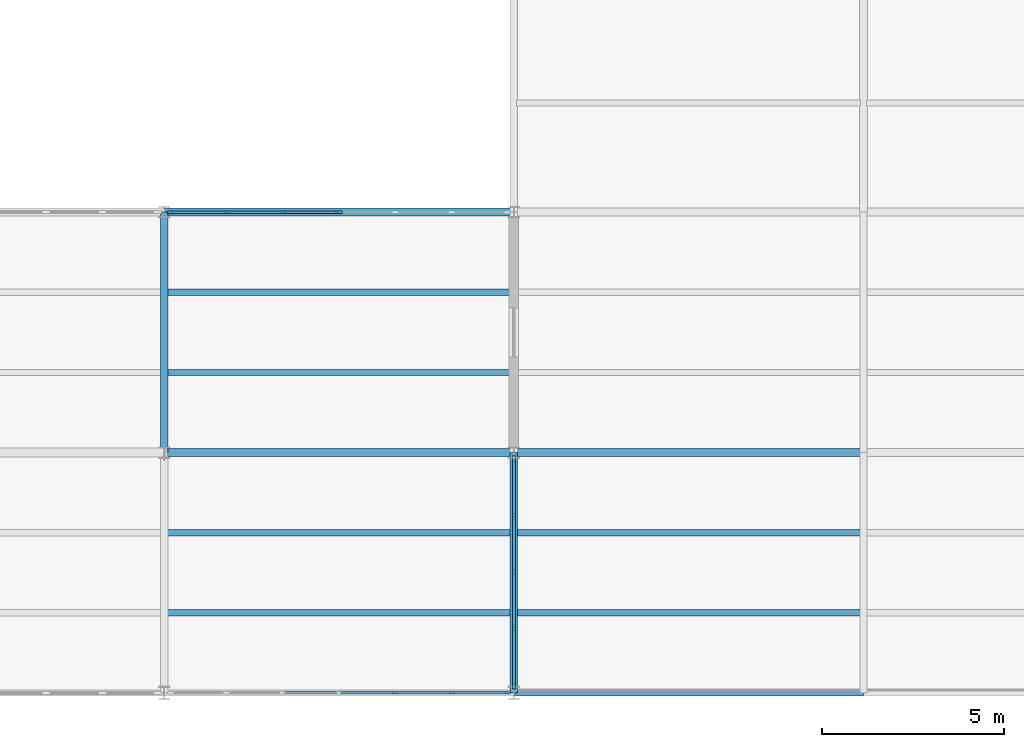
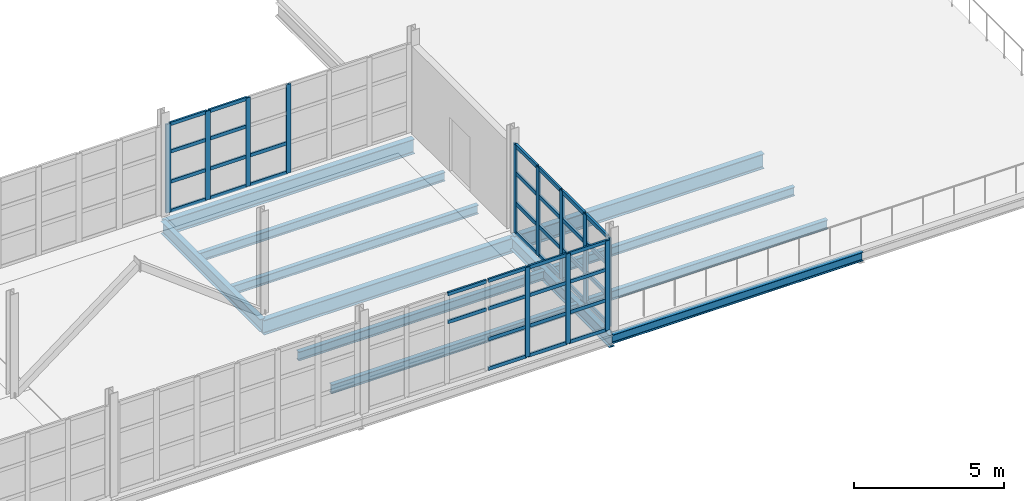
# One storey, part 44 of 82: 52 members, 12 beams, 3 elements without a shape of their own.
"""IFC4 building model written with IfcOpenShell, lengths in metres."""

import ifcopenshell
import ifcopenshell.guid

model = None  # the IFC model being written
_history = None  # IfcOwnerHistory: only IFC2X3 demands one
_inside = {}  # id of a spatial element -> (the spatial element, [elements in it])
_under = {}  # id of a project, library or spatial element -> (it, [spatial elements below it])
_declared = {}  # id of a project -> (the project, [libraries it declares])
_typed = {}  # id of a type object -> (the type object, [elements of that type])
_made_of = {}  # id of a material, layer set ... -> (it, [elements and type objects made of it])


def new_model(schema):
    """Start an empty IFC model of exactly this schema.

    Asked for "IFC4X3", IfcOpenShell would pick the latest addendum, in which some entities
    have other attributes; the version numbers below select the first issue.
    IFC2X3 requires an IfcOwnerHistory on every rooted entity: one is made here for all.
    """
    global model, _history
    if schema == "IFC4X3":
        model = ifcopenshell.file(schema_version=(4, 3, 0, 0))
    else:
        model = ifcopenshell.file(schema=schema)
    _inside.clear()
    _under.clear()
    _declared.clear()
    _typed.clear()
    _made_of.clear()
    _history = None
    if model.schema == "IFC2X3":
        org = make("IfcOrganization", Name="unknown")
        user = make(
            "IfcPersonAndOrganization",
            ThePerson=make("IfcPerson", FamilyName="unknown"),
            TheOrganization=org,
        )
        app = make(
            "IfcApplication",
            ApplicationDeveloper=org,
            Version="unknown",
            ApplicationFullName="unknown",
            ApplicationIdentifier="unknown",
        )
        _history = make(
            "IfcOwnerHistory",
            OwningUser=user,
            OwningApplication=app,
            ChangeAction="ADDED",
            CreationDate=0,
        )
    return model


def make(cls, **values):
    """One entity of the class cls with the attributes given. An attribute that is None is left unset."""
    return model.create_entity(
        cls, **{name: value for name, value in values.items() if value is not None}
    )


def rooted(cls, **values):
    """An entity with a GlobalId (a new one), such as an element, a storey or a relation."""
    return make(cls, GlobalId=ifcopenshell.guid.new(), OwnerHistory=_history, **values)


def si_unit(unit_type, name, prefix=None):
    """IfcSIUnit, for example si_unit("LENGTHUNIT", "METRE", prefix="MILLI")."""
    return make("IfcSIUnit", UnitType=unit_type, Prefix=prefix, Name=name)


def assignment(units):
    """IfcUnitAssignment: the units of a project."""
    return None if units is None else make("IfcUnitAssignment", Units=units)


def point(xyz):
    """IfcCartesianPoint."""
    return None if xyz is None else make("IfcCartesianPoint", Coordinates=xyz)


def direction(xyz):
    """IfcDirection."""
    return None if xyz is None else make("IfcDirection", DirectionRatios=xyz)


def frame(location, z_axis=None, x_axis=None):
    """IfcAxis2Placement3D, a coordinate frame: its origin and axes. An axis left out is left unset."""
    return make(
        "IfcAxis2Placement3D",
        Location=point(location),
        Axis=direction(z_axis),
        RefDirection=direction(x_axis),
    )


def frame_2d(location, x_axis=None):
    """IfcAxis2Placement2D, a coordinate frame in the plane: its origin and x axis."""
    return make(
        "IfcAxis2Placement2D", Location=point(location), RefDirection=direction(x_axis)
    )


def origin():
    """The frame at (0, 0, 0) with its axes left unset."""
    return frame((0.0, 0.0, 0.0))


def origin_2d():
    """The frame at (0, 0) in the plane with its x axis left unset."""
    return frame_2d((0.0, 0.0))


def place(relative_to, where):
    """IfcLocalPlacement: puts the frame where relative to a parent placement (None: the world)."""
    return make(
        "IfcLocalPlacement", PlacementRelTo=relative_to, RelativePlacement=where
    )


def context(
    kind, dimensions, precision=None, world=None, true_north=None, identifier=None
):
    """IfcGeometricRepresentationContext, for example the 3D "Model" context."""
    return make(
        "IfcGeometricRepresentationContext",
        ContextIdentifier=identifier,
        ContextType=kind,
        CoordinateSpaceDimension=dimensions,
        Precision=precision,
        WorldCoordinateSystem=world,
        TrueNorth=true_north,
    )


def subcontext(parent, identifier, kind, view, scale=None):
    """IfcGeometricRepresentationSubContext, for example "Body" below "Model"."""
    return make(
        "IfcGeometricRepresentationSubContext",
        ContextIdentifier=identifier,
        ContextType=kind,
        ParentContext=parent,
        TargetScale=scale,
        TargetView=view,
    )


def project(units=None, contexts=None):
    """IfcProject with its units and contexts."""
    return rooted(
        "IfcProject",
        Name="project",
        RepresentationContexts=contexts,
        UnitsInContext=assignment(units),
    )


def spatial(cls, under=None, at=None, **own):
    """A site, building, storey or space (cls), placed at a placement, below another one or the project."""
    s = rooted(cls, ObjectPlacement=at, **own)
    if under is not None:
        _under.setdefault(under.id(), (under, []))[1].append(s)
    return s


def profile(cls, at=None, kind="AREA", **sizes):
    """A parametric profile (cls). Its sizes go by their IFC names, for example OverallWidth=200.0."""
    return make(cls, ProfileType=kind, Position=at, **sizes)


def rectangle(**sizes):
    """IfcRectangleProfileDef."""
    return profile("IfcRectangleProfileDef", **sizes)


def i_section(**sizes):
    """IfcIShapeProfileDef."""
    return profile("IfcIShapeProfileDef", **sizes)


def extrude(swept, where, along, depth):
    """IfcExtrudedAreaSolid: the profile swept, set in the frame where, extruded along a direction by depth."""
    return make(
        "IfcExtrudedAreaSolid",
        SweptArea=swept,
        Position=where,
        ExtrudedDirection=direction(along),
        Depth=depth,
    )


def shape(context_of_items, identifier, shape_type, items):
    """IfcShapeRepresentation: the items that make up one representation, for example the "Body"."""
    return make(
        "IfcShapeRepresentation",
        ContextOfItems=context_of_items,
        RepresentationIdentifier=identifier,
        RepresentationType=shape_type,
        Items=items,
    )


def material(Name=None, Category=None):
    """IfcMaterial."""
    return make("IfcMaterial", Name=Name, Category=Category)


def layer(
    of_material, thickness, ventilated=None, Name=None, Category=None, Priority=None
):
    """IfcMaterialLayer: one layer of a wall or slab, of a material (None: an air gap)."""
    return make(
        "IfcMaterialLayer",
        Material=of_material,
        LayerThickness=thickness,
        IsVentilated=ventilated,
        Name=Name,
        Category=Category,
        Priority=Priority,
    )


def layer_set(layers, Name=None):
    """IfcMaterialLayerSet."""
    return make("IfcMaterialLayerSet", MaterialLayers=layers, LayerSetName=Name)


def material_profile(
    of_material, cross_section, Name=None, Category=None, Priority=None
):
    """IfcMaterialProfile: a cross section and its material."""
    return make(
        "IfcMaterialProfile",
        Name=Name,
        Material=of_material,
        Profile=cross_section,
        Priority=Priority,
        Category=Category,
    )


def profile_set(profiles, Name=None, composite=None):
    """IfcMaterialProfileSet."""
    return make(
        "IfcMaterialProfileSet",
        Name=Name,
        MaterialProfiles=profiles,
        CompositeProfile=composite,
    )


def made_of(thing, what):
    """Note that an element or type object is made of a material, layer set ...; save() writes the relation."""
    if what is not None:
        _made_of.setdefault(what.id(), (what, []))[1].append(thing)
    return thing


def type_object(cls, material=None, **own):
    """A type object (cls), such as IfcWallType, which elements share."""
    return made_of(rooted(cls, **own), material)


def element(
    cls,
    number,
    at=None,
    inside=None,
    cuts=None,
    type_object=None,
    material=None,
    context=None,
    identifier="Body",
    shape_type=None,
    held_by="IfcProductDefinitionShape",
    body=None,
    shapes=None,
    **own,
):
    """One element of the class cls, such as IfcWall. Its Tag is "e" and its number.

    at: its placement. inside: the storey or other place that contains it. cuts: it is an
    opening in that element (IfcRelVoidsElement). A single representation is given by context,
    identifier, shape_type and body (its items); several are given by shapes. held_by: the class
    of the entity that holds the representations. save() writes the other relations.
    """
    e = rooted(cls, Tag="e%d" % number, ObjectPlacement=at, **own)
    if body is not None:
        shapes = [shape(context, identifier, shape_type, body)]
    if shapes is not None:
        e.Representation = make(held_by, Representations=shapes)
    if inside is not None:
        _inside.setdefault(inside.id(), (inside, []))[1].append(e)
    if cuts is not None:
        rooted(
            "IfcRelVoidsElement", RelatingBuildingElement=cuts, RelatedOpeningElement=e
        )
    if type_object is not None:
        _typed.setdefault(type_object.id(), (type_object, []))[1].append(e)
    return made_of(e, material)


def aggregate(whole, parts):
    """IfcRelAggregates: a whole, such as a stair, and the parts it consists of."""
    return rooted("IfcRelAggregates", RelatingObject=whole, RelatedObjects=parts)


def save(model, path):
    """Write the relations noted so far, then the file.

    IfcRelAggregates (storeys below a building ...), IfcRelContainedInSpatialStructure (elements
    in a storey), IfcRelDefinesByType, IfcRelAssociatesMaterial and IfcRelDeclares: one each for
    every whole, place, type object, material and project.
    """
    for whole, parts in _under.values():
        aggregate(whole, parts)
    for where, things in _inside.values():
        rooted(
            "IfcRelContainedInSpatialStructure",
            RelatedElements=things,
            RelatingStructure=where,
        )
    for kind, things in _typed.values():
        rooted("IfcRelDefinesByType", RelatedObjects=things, RelatingType=kind)
    for what, things in _made_of.values():
        rooted("IfcRelAssociatesMaterial", RelatedObjects=things, RelatingMaterial=what)
    for by, libraries in _declared.values():
        rooted("IfcRelDeclares", RelatingContext=by, RelatedDefinitions=libraries)
    model.write(path)


model = new_model("IFC4")

# Units and contexts
model_context = context("Model", 3, precision=1e-05, world=origin(), true_north=direction((0.0, 1.0)))
body_context = subcontext(model_context, "Body", "Model", "MODEL_VIEW")
ifc_project = project(units=[si_unit("LENGTHUNIT", "METRE"), si_unit("AREAUNIT", "SQUARE_METRE"), si_unit("VOLUMEUNIT", "CUBIC_METRE"), si_unit("PLANEANGLEUNIT", "RADIAN"), si_unit("MASSUNIT", "GRAM", prefix="KILO")], contexts=[model_context])

# Site, building, storey
site_placement = place(None, origin())
site = spatial("IfcSite", under=ifc_project, at=site_placement, CompositionType="ELEMENT")
building_placement = place(site_placement, origin())
building = spatial("IfcBuilding", under=site, at=building_placement, Name="Zarnetskaya Central Station", CompositionType="ELEMENT")
storey_placement = place(building_placement, frame((0.0, 0.0, 10.199951171875)))
storey = spatial("IfcBuildingStorey", under=building, at=storey_placement, Name="L02", CompositionType="ELEMENT", Elevation=10.199951171875)

# Beams
ifc_material_1 = material(Name="Steel S355", Category="steel")
ifc_material_profile_1 = material_profile(ifc_material_1, i_section(OverallWidth=0.169921875, OverallDepth=0.360107421875, WebThickness=0.008056640625, FlangeThickness=0.0126953125, FilletRadius=0.01806640625, at=origin_2d()), Name="IPE 360")
ifc_profile_set_1 = profile_set([ifc_material_profile_1], Name="Steel S355")
beam_type_1 = type_object("IfcBeamType", Name="BM-SEC-360", PredefinedType="BEAM", material=ifc_profile_set_1)
for number, where, z_axis, x_axis, name in (
    (1, (144.080078125, 2.199951171875, -0.43994140625), (1.0, 0.0, 0.0), (0.0, 1.0, 0.0), "Secondary floor beam SEC-L02-Z994-RS-12-1"),
    (2, (144.080078125, 4.39990234375, -0.43994140625), (1.0, 0.0, 0.0), (0.0, 1.0, 0.0), "Secondary floor beam SEC-L02-Z994-RS-12-2"),
    (3, (144.080078125, 8.800048828125, -0.43994140625), (1.0, 0.0, 0.0), (0.0, 1.0, 0.0), "Secondary floor beam SEC-L02-Z994-RS-23-1"),
    (4, (144.080078125, 11.0, -0.43994140625), (1.0, 0.0, 0.0), (0.0, 1.0, 0.0), "Secondary floor beam SEC-L02-Z994-RS-23-2"),
):
    element("IfcBeam", number, at=place(storey_placement, frame(where, z_axis=z_axis, x_axis=x_axis)), inside=storey, type_object=beam_type_1, Name=name, PredefinedType="BEAM", context=body_context, shape_type="SweptSolid", body=[
        extrude(i_section(OverallWidth=0.169921875, OverallDepth=0.360107421875, WebThickness=0.008056640625, FlangeThickness=0.0126953125, FilletRadius=0.01806640625, at=origin_2d()), origin(), (0.0, 0.0, 1.0), 9.43994140625),
    ])
for number, where, z_axis, x_axis, name in (
    (5, (153.679931640625, 2.199951171875, -0.39990234375), (1.0, 0.0, 0.0), (0.0, 1.0, 0.0), "Secondary floor beam SEC-L02-Z998-ST-12-1"),
    (6, (153.679931640625, 4.39990234375, -0.39990234375), (1.0, 0.0, 0.0), (0.0, 1.0, 0.0), "Secondary floor beam SEC-L02-Z998-ST-12-2"),
):
    element("IfcBeam", number, at=place(storey_placement, frame(where, z_axis=z_axis, x_axis=x_axis)), inside=storey, type_object=beam_type_1, Name=name, PredefinedType="BEAM", context=body_context, shape_type="SweptSolid", body=[
        extrude(i_section(OverallWidth=0.169921875, OverallDepth=0.360107421875, WebThickness=0.008056640625, FlangeThickness=0.0126953125, FilletRadius=0.01806640625, at=origin_2d()), origin(), (0.0, 0.0, 1.0), 9.440185546875),
    ])
ifc_material_profile_2 = material_profile(ifc_material_1, i_section(OverallWidth=0.169921875, OverallDepth=0.360107421875, WebThickness=0.008056640625, FlangeThickness=0.0126953125, FilletRadius=0.01806640625, at=origin_2d()), Name="IPE 360")
ifc_profile_set_2 = profile_set([ifc_material_profile_2], Name="Steel S355")
beam_type_2 = type_object("IfcBeamType", Name="BM-SPN-V4", PredefinedType="SPANDREL", material=ifc_profile_set_2)
beam_1_placement = place(storey_placement, frame((153.60009765625, 0.0, -0.39990234375), z_axis=(1.0, 0.0, 0.0), x_axis=(0.0, 1.0, 0.0)))
element("IfcBeam", 7, at=beam_1_placement, inside=storey, type_object=beam_type_2, Name="Grid girder GX-L02-1-ST", PredefinedType="SPANDREL", context=body_context, shape_type="SweptSolid", body=[
    extrude(i_section(OverallWidth=0.169921875, OverallDepth=0.360107421875, WebThickness=0.008056640625, FlangeThickness=0.0126953125, FilletRadius=0.01806640625, at=origin_2d()), origin(), (0.0, 0.0, 1.0), 9.599853515625),
])

# Curtain wall, members
ifc_material_2 = material(Name="Low-E insulated glass", Category="glass")
ifc_layer = layer(ifc_material_2, 0.1640625, Name="Low-E insulated glass", Category="glass")
ifc_layer_set = layer_set([ifc_layer], Name="Low-E insulated glass")
curtain_wall_type = type_object("IfcCurtainWallType", Name="CW-SYS-07", PredefinedType="USERDEFINED", material=ifc_layer_set)
curtain_wall_1_placement = place(storey_placement, origin())
curtain_wall_1 = element("IfcCurtainWall", 8, at=curtain_wall_1_placement, inside=storey, type_object=curtain_wall_type, Name="Curtain wall CW-L02-141", ObjectType="CURTAIN WALL", PredefinedType="USERDEFINED")
ifc_material_3 = material(Name="Anodised aluminium", Category="aluminium")
ifc_material_profile_3 = material_profile(ifc_material_3, rectangle(XDim=0.070068359375, YDim=0.179931640625, at=origin_2d()), Name="ALU MULL 70x180")
ifc_profile_set_3 = profile_set([ifc_material_profile_3], Name="Anodised aluminium")
member_type_1 = type_object("IfcMemberType", Name="CW-MULL-180", PredefinedType="MULLION", material=ifc_profile_set_3)
member_1_placement = place(storey_placement, frame((144.18505859375, 13.199951171875, 0.0), z_axis=(0.0, 0.0, 1.0), x_axis=(0.0, 1.0, 0.0)))
member_1 = element("IfcMember", 9, at=member_1_placement, type_object=member_type_1, Name="CW-06 mullion 1", PredefinedType="MULLION", context=body_context, shape_type="SweptSolid", body=[
    extrude(rectangle(XDim=0.070068359375, YDim=0.179931640625, at=origin_2d()), origin(), (0.0, 0.0, 1.0), 3.60009765625),
])
member_2_placement = place(storey_placement, frame((145.699951171875, 13.199951171875, 0.0), z_axis=(0.0, 0.0, 1.0), x_axis=(0.0, 1.0, 0.0)))
member_2 = element("IfcMember", 10, at=member_2_placement, type_object=member_type_1, Name="CW-06 mullion 2", PredefinedType="MULLION", context=body_context, shape_type="SweptSolid", body=[
    extrude(rectangle(XDim=0.070068359375, YDim=0.179931640625, at=origin_2d()), origin(), (0.0, 0.0, 1.0), 3.60009765625),
])
member_3_placement = place(storey_placement, frame((147.25, 13.199951171875, 0.0), z_axis=(0.0, 0.0, 1.0), x_axis=(0.0, 1.0, 0.0)))
member_3 = element("IfcMember", 11, at=member_3_placement, type_object=member_type_1, Name="CW-06 mullion 3", PredefinedType="MULLION", context=body_context, shape_type="SweptSolid", body=[
    extrude(rectangle(XDim=0.070068359375, YDim=0.179931640625, at=origin_2d()), origin(), (0.0, 0.0, 1.0), 3.60009765625),
])
member_4_placement = place(storey_placement, frame((148.800048828125, 13.199951171875, 0.0), z_axis=(0.0, 0.0, 1.0), x_axis=(0.0, 1.0, 0.0)))
member_4 = element("IfcMember", 12, at=member_4_placement, type_object=member_type_1, Name="CW-06 mullion 4", PredefinedType="MULLION", context=body_context, shape_type="SweptSolid", body=[
    extrude(rectangle(XDim=0.070068359375, YDim=0.179931640625, at=origin_2d()), origin(), (0.0, 0.0, 1.0), 3.60009765625),
])

curtain_wall_2_placement = place(storey_placement, origin())
curtain_wall_2 = element("IfcCurtainWall", 13, at=curtain_wall_2_placement, inside=storey, type_object=curtain_wall_type, Name="Curtain wall CW-L02-143", ObjectType="CURTAIN WALL", PredefinedType="USERDEFINED")
member_5_placement = place(storey_placement, frame((153.4150390625, 0.0, 0.0), z_axis=(0.0, 0.0, 1.0), x_axis=(0.0, -1.0, 0.0)))
member_5 = element("IfcMember", 14, at=member_5_placement, type_object=member_type_1, Name="CW-06 mullion 1", PredefinedType="MULLION", context=body_context, shape_type="SweptSolid", body=[
    extrude(rectangle(XDim=0.070068359375, YDim=0.179931640625, at=origin_2d()), origin(), (0.0, 0.0, 1.0), 3.64013671875),
])
member_6_placement = place(storey_placement, frame((151.89990234375, 0.0, 0.0), z_axis=(0.0, 0.0, 1.0), x_axis=(0.0, -1.0, 0.0)))
member_6 = element("IfcMember", 15, at=member_6_placement, type_object=member_type_1, Name="CW-06 mullion 2", PredefinedType="MULLION", context=body_context, shape_type="SweptSolid", body=[
    extrude(rectangle(XDim=0.070068359375, YDim=0.179931640625, at=origin_2d()), origin(), (0.0, 0.0, 1.0), 3.64013671875),
])
member_7_placement = place(storey_placement, frame((150.35009765625, 0.0, 0.0), z_axis=(0.0, 0.0, 1.0), x_axis=(0.0, -1.0, 0.0)))
member_7 = element("IfcMember", 16, at=member_7_placement, type_object=member_type_1, Name="CW-06 mullion 3", PredefinedType="MULLION", context=body_context, shape_type="SweptSolid", body=[
    extrude(rectangle(XDim=0.070068359375, YDim=0.179931640625, at=origin_2d()), origin(), (0.0, 0.0, 1.0), 3.64013671875),
])

curtain_wall_3_placement = place(storey_placement, origin())
curtain_wall_3 = element("IfcCurtainWall", 17, at=curtain_wall_3_placement, inside=storey, type_object=curtain_wall_type, Name="Curtain wall CW-L02-142", ObjectType="CURTAIN WALL", PredefinedType="USERDEFINED")
ifc_material_profile_4 = material_profile(ifc_material_3, rectangle(XDim=0.080078125, YDim=0.219970703125, at=origin_2d()), Name="ALU MULL 80x220")
ifc_profile_set_4 = profile_set([ifc_material_profile_4], Name="Anodised aluminium")
member_type_2 = type_object("IfcMemberType", Name="CW-MULL-220", PredefinedType="MULLION", material=ifc_profile_set_4)
member_8_placement = place(storey_placement, frame((153.60009765625, 6.409912109375, 0.0), z_axis=(0.0, 0.0, 1.0), x_axis=(1.0, 0.0, 0.0)))
member_8 = element("IfcMember", 18, at=member_8_placement, type_object=member_type_2, Name="CW-06 mullion 1", PredefinedType="MULLION", context=body_context, shape_type="SweptSolid", body=[
    extrude(rectangle(XDim=0.080078125, YDim=0.219970703125, at=origin_2d()), origin(), (0.0, 0.0, 1.0), 3.60009765625),
])
member_9_placement = place(storey_placement, frame((153.60009765625, 4.882568359375, 0.0), z_axis=(0.0, 0.0, 1.0), x_axis=(1.0, 0.0, 0.0)))
member_9 = element("IfcMember", 19, at=member_9_placement, type_object=member_type_2, Name="CW-06 mullion 2", PredefinedType="MULLION", context=body_context, shape_type="SweptSolid", body=[
    extrude(rectangle(XDim=0.080078125, YDim=0.219970703125, at=origin_2d()), origin(), (0.0, 0.0, 1.0), 3.60009765625),
])
member_10_placement = place(storey_placement, frame((153.60009765625, 3.31494140625, 0.0), z_axis=(0.0, 0.0, 1.0), x_axis=(1.0, 0.0, 0.0)))
member_10 = element("IfcMember", 20, at=member_10_placement, type_object=member_type_2, Name="CW-06 mullion 3", PredefinedType="MULLION", context=body_context, shape_type="SweptSolid", body=[
    extrude(rectangle(XDim=0.080078125, YDim=0.219970703125, at=origin_2d()), origin(), (0.0, 0.0, 1.0), 3.60009765625),
])
member_11_placement = place(storey_placement, frame((153.60009765625, 1.74755859375, 0.0), z_axis=(0.0, 0.0, 1.0), x_axis=(1.0, 0.0, 0.0)))
member_11 = element("IfcMember", 21, at=member_11_placement, type_object=member_type_2, Name="CW-06 mullion 4", PredefinedType="MULLION", context=body_context, shape_type="SweptSolid", body=[
    extrude(rectangle(XDim=0.080078125, YDim=0.219970703125, at=origin_2d()), origin(), (0.0, 0.0, 1.0), 3.60009765625),
])
member_12_placement = place(storey_placement, frame((153.60009765625, 0.219970703125, 0.0), z_axis=(0.0, 0.0, 1.0), x_axis=(1.0, 0.0, 0.0)))
member_12 = element("IfcMember", 22, at=member_12_placement, type_object=member_type_2, Name="CW-06 mullion 5", PredefinedType="MULLION", context=body_context, shape_type="SweptSolid", body=[
    extrude(rectangle(XDim=0.080078125, YDim=0.219970703125, at=origin_2d()), origin(), (0.0, 0.0, 1.0), 3.60009765625),
])

# Member
ifc_material_profile_5 = material_profile(ifc_material_3, rectangle(XDim=0.070068359375, YDim=0.139892578125, at=origin_2d()), Name="ALU TRAN 70x140")
ifc_profile_set_5 = profile_set([ifc_material_profile_5], Name="Anodised aluminium")
member_type_3 = type_object("IfcMemberType", Name="CW-TRAN-140", PredefinedType="USERDEFINED", material=ifc_profile_set_5)
member_13_placement = place(storey_placement, frame((144.219970703125, 13.199951171875, 0.03515625), z_axis=(1.0, 0.0, 0.0), x_axis=(0.0, 1.0, 0.0)))
member_13 = element("IfcMember", 23, at=member_13_placement, type_object=member_type_3, Name="CW-06 transom 1.1", ObjectType="TRANSOM", PredefinedType="USERDEFINED", context=body_context, shape_type="SweptSolid", body=[
    extrude(rectangle(XDim=0.070068359375, YDim=0.139892578125, at=origin_2d()), origin(), (0.0, 0.0, 1.0), 1.445068359375),
])

member_14_placement = place(storey_placement, frame((144.219970703125, 13.199951171875, 1.22412109375), z_axis=(1.0, 0.0, 0.0), x_axis=(0.0, 1.0, 0.0)))
member_14 = element("IfcMember", 24, at=member_14_placement, type_object=member_type_3, Name="CW-06 transom 1.2", ObjectType="TRANSOM", PredefinedType="USERDEFINED", context=body_context, shape_type="SweptSolid", body=[
    extrude(rectangle(XDim=0.070068359375, YDim=0.139892578125, at=origin_2d()), origin(), (0.0, 0.0, 1.0), 1.445068359375),
])

member_15_placement = place(storey_placement, frame((144.219970703125, 13.199951171875, 2.447998046875), z_axis=(1.0, 0.0, 0.0), x_axis=(0.0, 1.0, 0.0)))
member_15 = element("IfcMember", 25, at=member_15_placement, type_object=member_type_3, Name="CW-06 transom 1.3", ObjectType="TRANSOM", PredefinedType="USERDEFINED", context=body_context, shape_type="SweptSolid", body=[
    extrude(rectangle(XDim=0.070068359375, YDim=0.139892578125, at=origin_2d()), origin(), (0.0, 0.0, 1.0), 1.445068359375),
])

member_16_placement = place(storey_placement, frame((144.219970703125, 13.199951171875, 3.56494140625), z_axis=(1.0, 0.0, 0.0), x_axis=(0.0, 1.0, 0.0)))
member_16 = element("IfcMember", 26, at=member_16_placement, type_object=member_type_3, Name="CW-06 transom 1.4", ObjectType="TRANSOM", PredefinedType="USERDEFINED", context=body_context, shape_type="SweptSolid", body=[
    extrude(rectangle(XDim=0.070068359375, YDim=0.139892578125, at=origin_2d()), origin(), (0.0, 0.0, 1.0), 1.445068359375),
])

member_17_placement = place(storey_placement, frame((145.735107421875, 13.199951171875, 0.03515625), z_axis=(1.0, 0.0, 0.0), x_axis=(0.0, 1.0, 0.0)))
member_17 = element("IfcMember", 27, at=member_17_placement, type_object=member_type_3, Name="CW-06 transom 2.1", ObjectType="TRANSOM", PredefinedType="USERDEFINED", context=body_context, shape_type="SweptSolid", body=[
    extrude(rectangle(XDim=0.070068359375, YDim=0.139892578125, at=origin_2d()), origin(), (0.0, 0.0, 1.0), 1.47998046875),
])

member_18_placement = place(storey_placement, frame((145.735107421875, 13.199951171875, 1.22412109375), z_axis=(1.0, 0.0, 0.0), x_axis=(0.0, 1.0, 0.0)))
member_18 = element("IfcMember", 28, at=member_18_placement, type_object=member_type_3, Name="CW-06 transom 2.2", ObjectType="TRANSOM", PredefinedType="USERDEFINED", context=body_context, shape_type="SweptSolid", body=[
    extrude(rectangle(XDim=0.070068359375, YDim=0.139892578125, at=origin_2d()), origin(), (0.0, 0.0, 1.0), 1.47998046875),
])

member_19_placement = place(storey_placement, frame((145.735107421875, 13.199951171875, 2.447998046875), z_axis=(1.0, 0.0, 0.0), x_axis=(0.0, 1.0, 0.0)))
member_19 = element("IfcMember", 29, at=member_19_placement, type_object=member_type_3, Name="CW-06 transom 2.3", ObjectType="TRANSOM", PredefinedType="USERDEFINED", context=body_context, shape_type="SweptSolid", body=[
    extrude(rectangle(XDim=0.070068359375, YDim=0.139892578125, at=origin_2d()), origin(), (0.0, 0.0, 1.0), 1.47998046875),
])

member_20_placement = place(storey_placement, frame((145.735107421875, 13.199951171875, 3.56494140625), z_axis=(1.0, 0.0, 0.0), x_axis=(0.0, 1.0, 0.0)))
member_20 = element("IfcMember", 30, at=member_20_placement, type_object=member_type_3, Name="CW-06 transom 2.4", ObjectType="TRANSOM", PredefinedType="USERDEFINED", context=body_context, shape_type="SweptSolid", body=[
    extrude(rectangle(XDim=0.070068359375, YDim=0.139892578125, at=origin_2d()), origin(), (0.0, 0.0, 1.0), 1.47998046875),
])

member_21_placement = place(storey_placement, frame((147.284912109375, 13.199951171875, 0.03515625), z_axis=(1.0, 0.0, 0.0), x_axis=(0.0, 1.0, 0.0)))
member_21 = element("IfcMember", 31, at=member_21_placement, type_object=member_type_3, Name="CW-06 transom 3.1", ObjectType="TRANSOM", PredefinedType="USERDEFINED", context=body_context, shape_type="SweptSolid", body=[
    extrude(rectangle(XDim=0.070068359375, YDim=0.139892578125, at=origin_2d()), origin(), (0.0, 0.0, 1.0), 1.47998046875),
])

member_22_placement = place(storey_placement, frame((147.284912109375, 13.199951171875, 1.22412109375), z_axis=(1.0, 0.0, 0.0), x_axis=(0.0, 1.0, 0.0)))
member_22 = element("IfcMember", 32, at=member_22_placement, type_object=member_type_3, Name="CW-06 transom 3.2", ObjectType="TRANSOM", PredefinedType="USERDEFINED", context=body_context, shape_type="SweptSolid", body=[
    extrude(rectangle(XDim=0.070068359375, YDim=0.139892578125, at=origin_2d()), origin(), (0.0, 0.0, 1.0), 1.47998046875),
])

aggregate(curtain_wall_1, [member_1, member_2, member_3, member_4, member_13, member_14, member_15, member_16, member_17, member_18, member_19, member_20, member_21, member_22])

member_23_placement = place(storey_placement, frame((153.3798828125, 0.0, 0.03515625), z_axis=(-1.0, 0.0, 0.0), x_axis=(0.0, -1.0, 0.0)))
member_23 = element("IfcMember", 33, at=member_23_placement, type_object=member_type_3, Name="CW-06 transom 1.1", ObjectType="TRANSOM", PredefinedType="USERDEFINED", context=body_context, shape_type="SweptSolid", body=[
    extrude(rectangle(XDim=0.070068359375, YDim=0.139892578125, at=origin_2d()), origin(), (0.0, 0.0, 1.0), 1.44482421875),
])

member_24_placement = place(storey_placement, frame((153.3798828125, 0.0, 1.238037109375), z_axis=(-1.0, 0.0, 0.0), x_axis=(0.0, -1.0, 0.0)))
member_24 = element("IfcMember", 34, at=member_24_placement, type_object=member_type_3, Name="CW-06 transom 1.2", ObjectType="TRANSOM", PredefinedType="USERDEFINED", context=body_context, shape_type="SweptSolid", body=[
    extrude(rectangle(XDim=0.070068359375, YDim=0.139892578125, at=origin_2d()), origin(), (0.0, 0.0, 1.0), 1.44482421875),
])

member_25_placement = place(storey_placement, frame((153.3798828125, 0.0, 2.47509765625), z_axis=(-1.0, 0.0, 0.0), x_axis=(0.0, -1.0, 0.0)))
member_25 = element("IfcMember", 35, at=member_25_placement, type_object=member_type_3, Name="CW-06 transom 1.3", ObjectType="TRANSOM", PredefinedType="USERDEFINED", context=body_context, shape_type="SweptSolid", body=[
    extrude(rectangle(XDim=0.070068359375, YDim=0.139892578125, at=origin_2d()), origin(), (0.0, 0.0, 1.0), 1.44482421875),
])

member_26_placement = place(storey_placement, frame((153.3798828125, 0.0, 3.60498046875), z_axis=(-1.0, 0.0, 0.0), x_axis=(0.0, -1.0, 0.0)))
member_26 = element("IfcMember", 36, at=member_26_placement, type_object=member_type_3, Name="CW-06 transom 1.4", ObjectType="TRANSOM", PredefinedType="USERDEFINED", context=body_context, shape_type="SweptSolid", body=[
    extrude(rectangle(XDim=0.070068359375, YDim=0.139892578125, at=origin_2d()), origin(), (0.0, 0.0, 1.0), 1.44482421875),
])

member_27_placement = place(storey_placement, frame((151.864990234375, 0.0, 0.03515625), z_axis=(-1.0, 0.0, 0.0), x_axis=(0.0, -1.0, 0.0)))
member_27 = element("IfcMember", 37, at=member_27_placement, type_object=member_type_3, Name="CW-06 transom 2.1", ObjectType="TRANSOM", PredefinedType="USERDEFINED", context=body_context, shape_type="SweptSolid", body=[
    extrude(rectangle(XDim=0.070068359375, YDim=0.139892578125, at=origin_2d()), origin(), (0.0, 0.0, 1.0), 1.47998046875),
])

member_28_placement = place(storey_placement, frame((151.864990234375, 0.0, 1.238037109375), z_axis=(-1.0, 0.0, 0.0), x_axis=(0.0, -1.0, 0.0)))
member_28 = element("IfcMember", 38, at=member_28_placement, type_object=member_type_3, Name="CW-06 transom 2.2", ObjectType="TRANSOM", PredefinedType="USERDEFINED", context=body_context, shape_type="SweptSolid", body=[
    extrude(rectangle(XDim=0.070068359375, YDim=0.139892578125, at=origin_2d()), origin(), (0.0, 0.0, 1.0), 1.47998046875),
])

member_29_placement = place(storey_placement, frame((151.864990234375, 0.0, 2.47509765625), z_axis=(-1.0, 0.0, 0.0), x_axis=(0.0, -1.0, 0.0)))
member_29 = element("IfcMember", 39, at=member_29_placement, type_object=member_type_3, Name="CW-06 transom 2.3", ObjectType="TRANSOM", PredefinedType="USERDEFINED", context=body_context, shape_type="SweptSolid", body=[
    extrude(rectangle(XDim=0.070068359375, YDim=0.139892578125, at=origin_2d()), origin(), (0.0, 0.0, 1.0), 1.47998046875),
])

member_30_placement = place(storey_placement, frame((151.864990234375, 0.0, 3.60498046875), z_axis=(-1.0, 0.0, 0.0), x_axis=(0.0, -1.0, 0.0)))
member_30 = element("IfcMember", 40, at=member_30_placement, type_object=member_type_3, Name="CW-06 transom 2.4", ObjectType="TRANSOM", PredefinedType="USERDEFINED", context=body_context, shape_type="SweptSolid", body=[
    extrude(rectangle(XDim=0.070068359375, YDim=0.139892578125, at=origin_2d()), origin(), (0.0, 0.0, 1.0), 1.47998046875),
])

member_31_placement = place(storey_placement, frame((150.31494140625, 0.0, 0.03515625), z_axis=(-1.0, 0.0, 0.0), x_axis=(0.0, -1.0, 0.0)))
member_31 = element("IfcMember", 41, at=member_31_placement, type_object=member_type_3, Name="CW-06 transom 3.1", ObjectType="TRANSOM", PredefinedType="USERDEFINED", context=body_context, shape_type="SweptSolid", body=[
    extrude(rectangle(XDim=0.070068359375, YDim=0.139892578125, at=origin_2d()), origin(), (0.0, 0.0, 1.0), 1.47998046875),
])

member_32_placement = place(storey_placement, frame((150.31494140625, 0.0, 1.238037109375), z_axis=(-1.0, 0.0, 0.0), x_axis=(0.0, -1.0, 0.0)))
member_32 = element("IfcMember", 42, at=member_32_placement, type_object=member_type_3, Name="CW-06 transom 3.2", ObjectType="TRANSOM", PredefinedType="USERDEFINED", context=body_context, shape_type="SweptSolid", body=[
    extrude(rectangle(XDim=0.070068359375, YDim=0.139892578125, at=origin_2d()), origin(), (0.0, 0.0, 1.0), 1.47998046875),
])

member_33_placement = place(storey_placement, frame((150.31494140625, 0.0, 2.47509765625), z_axis=(-1.0, 0.0, 0.0), x_axis=(0.0, -1.0, 0.0)))
member_33 = element("IfcMember", 43, at=member_33_placement, type_object=member_type_3, Name="CW-06 transom 3.3", ObjectType="TRANSOM", PredefinedType="USERDEFINED", context=body_context, shape_type="SweptSolid", body=[
    extrude(rectangle(XDim=0.070068359375, YDim=0.139892578125, at=origin_2d()), origin(), (0.0, 0.0, 1.0), 1.47998046875),
])

member_34_placement = place(storey_placement, frame((150.31494140625, 0.0, 3.60498046875), z_axis=(-1.0, 0.0, 0.0), x_axis=(0.0, -1.0, 0.0)))
member_34 = element("IfcMember", 44, at=member_34_placement, type_object=member_type_3, Name="CW-06 transom 3.4", ObjectType="TRANSOM", PredefinedType="USERDEFINED", context=body_context, shape_type="SweptSolid", body=[
    extrude(rectangle(XDim=0.070068359375, YDim=0.139892578125, at=origin_2d()), origin(), (0.0, 0.0, 1.0), 1.47998046875),
])

member_35_placement = place(storey_placement, frame((148.764892578125, 0.0, 2.47509765625), z_axis=(-1.0, 0.0, 0.0), x_axis=(0.0, -1.0, 0.0)))
member_35 = element("IfcMember", 45, at=member_35_placement, type_object=member_type_3, Name="CW-06 transom 4.3", ObjectType="TRANSOM", PredefinedType="USERDEFINED", context=body_context, shape_type="SweptSolid", body=[
    extrude(rectangle(XDim=0.070068359375, YDim=0.139892578125, at=origin_2d()), origin(), (0.0, 0.0, 1.0), 1.47998046875),
])

member_36_placement = place(storey_placement, frame((148.764892578125, 0.0, 3.60498046875), z_axis=(-1.0, 0.0, 0.0), x_axis=(0.0, -1.0, 0.0)))
member_36 = element("IfcMember", 46, at=member_36_placement, type_object=member_type_3, Name="CW-06 transom 4.4", ObjectType="TRANSOM", PredefinedType="USERDEFINED", context=body_context, shape_type="SweptSolid", body=[
    extrude(rectangle(XDim=0.070068359375, YDim=0.139892578125, at=origin_2d()), origin(), (0.0, 0.0, 1.0), 1.47998046875),
])

aggregate(curtain_wall_2, [member_5, member_6, member_7, member_23, member_24, member_25, member_26, member_27, member_28, member_29, member_30, member_31, member_32, member_33, member_34, member_35, member_36])

ifc_material_profile_6 = material_profile(ifc_material_3, rectangle(XDim=0.080078125, YDim=0.159912109375, at=origin_2d()), Name="ALU TRAN 80x160")
ifc_profile_set_6 = profile_set([ifc_material_profile_6], Name="Anodised aluminium")
member_type_4 = type_object("IfcMemberType", Name="CW-TRAN-160", PredefinedType="USERDEFINED", material=ifc_profile_set_6)
member_37_placement = place(storey_placement, frame((153.60009765625, 6.3701171875, 0.0400390625), z_axis=(0.0, -1.0, 0.0), x_axis=(1.0, 0.0, 0.0)))
member_37 = element("IfcMember", 47, at=member_37_placement, type_object=member_type_4, Name="CW-06 transom 1.1", ObjectType="TRANSOM", PredefinedType="USERDEFINED", context=body_context, shape_type="SweptSolid", body=[
    extrude(rectangle(XDim=0.080078125, YDim=0.159912109375, at=origin_2d()), origin(), (0.0, 0.0, 1.0), 1.447509765625),
])

member_38_placement = place(storey_placement, frame((153.60009765625, 6.3701171875, 1.22412109375), z_axis=(0.0, -1.0, 0.0), x_axis=(1.0, 0.0, 0.0)))
member_38 = element("IfcMember", 48, at=member_38_placement, type_object=member_type_4, Name="CW-06 transom 1.2", ObjectType="TRANSOM", PredefinedType="USERDEFINED", context=body_context, shape_type="SweptSolid", body=[
    extrude(rectangle(XDim=0.080078125, YDim=0.159912109375, at=origin_2d()), origin(), (0.0, 0.0, 1.0), 1.447509765625),
])

member_39_placement = place(storey_placement, frame((153.60009765625, 6.3701171875, 2.447998046875), z_axis=(0.0, -1.0, 0.0), x_axis=(1.0, 0.0, 0.0)))
member_39 = element("IfcMember", 49, at=member_39_placement, type_object=member_type_4, Name="CW-06 transom 1.3", ObjectType="TRANSOM", PredefinedType="USERDEFINED", context=body_context, shape_type="SweptSolid", body=[
    extrude(rectangle(XDim=0.080078125, YDim=0.159912109375, at=origin_2d()), origin(), (0.0, 0.0, 1.0), 1.447509765625),
])

member_40_placement = place(storey_placement, frame((153.60009765625, 6.3701171875, 3.56005859375), z_axis=(0.0, -1.0, 0.0), x_axis=(1.0, 0.0, 0.0)))
member_40 = element("IfcMember", 50, at=member_40_placement, type_object=member_type_4, Name="CW-06 transom 1.4", ObjectType="TRANSOM", PredefinedType="USERDEFINED", context=body_context, shape_type="SweptSolid", body=[
    extrude(rectangle(XDim=0.080078125, YDim=0.159912109375, at=origin_2d()), origin(), (0.0, 0.0, 1.0), 1.447509765625),
])

member_41_placement = place(storey_placement, frame((153.60009765625, 4.842529296875, 0.0400390625), z_axis=(0.0, -1.0, 0.0), x_axis=(1.0, 0.0, 0.0)))
member_41 = element("IfcMember", 51, at=member_41_placement, type_object=member_type_4, Name="CW-06 transom 2.1", ObjectType="TRANSOM", PredefinedType="USERDEFINED", context=body_context, shape_type="SweptSolid", body=[
    extrude(rectangle(XDim=0.080078125, YDim=0.159912109375, at=origin_2d()), origin(), (0.0, 0.0, 1.0), 1.487548828125),
])

member_42_placement = place(storey_placement, frame((153.60009765625, 4.842529296875, 1.22412109375), z_axis=(0.0, -1.0, 0.0), x_axis=(1.0, 0.0, 0.0)))
member_42 = element("IfcMember", 52, at=member_42_placement, type_object=member_type_4, Name="CW-06 transom 2.2", ObjectType="TRANSOM", PredefinedType="USERDEFINED", context=body_context, shape_type="SweptSolid", body=[
    extrude(rectangle(XDim=0.080078125, YDim=0.159912109375, at=origin_2d()), origin(), (0.0, 0.0, 1.0), 1.487548828125),
])

member_43_placement = place(storey_placement, frame((153.60009765625, 4.842529296875, 2.447998046875), z_axis=(0.0, -1.0, 0.0), x_axis=(1.0, 0.0, 0.0)))
member_43 = element("IfcMember", 53, at=member_43_placement, type_object=member_type_4, Name="CW-06 transom 2.3", ObjectType="TRANSOM", PredefinedType="USERDEFINED", context=body_context, shape_type="SweptSolid", body=[
    extrude(rectangle(XDim=0.080078125, YDim=0.159912109375, at=origin_2d()), origin(), (0.0, 0.0, 1.0), 1.487548828125),
])

member_44_placement = place(storey_placement, frame((153.60009765625, 4.842529296875, 3.56005859375), z_axis=(0.0, -1.0, 0.0), x_axis=(1.0, 0.0, 0.0)))
member_44 = element("IfcMember", 54, at=member_44_placement, type_object=member_type_4, Name="CW-06 transom 2.4", ObjectType="TRANSOM", PredefinedType="USERDEFINED", context=body_context, shape_type="SweptSolid", body=[
    extrude(rectangle(XDim=0.080078125, YDim=0.159912109375, at=origin_2d()), origin(), (0.0, 0.0, 1.0), 1.487548828125),
])

member_45_placement = place(storey_placement, frame((153.60009765625, 3.27490234375, 0.0400390625), z_axis=(0.0, -1.0, 0.0), x_axis=(1.0, 0.0, 0.0)))
member_45 = element("IfcMember", 55, at=member_45_placement, type_object=member_type_4, Name="CW-06 transom 3.1", ObjectType="TRANSOM", PredefinedType="USERDEFINED", context=body_context, shape_type="SweptSolid", body=[
    extrude(rectangle(XDim=0.080078125, YDim=0.159912109375, at=origin_2d()), origin(), (0.0, 0.0, 1.0), 1.4873046875),
])

member_46_placement = place(storey_placement, frame((153.60009765625, 3.27490234375, 1.22412109375), z_axis=(0.0, -1.0, 0.0), x_axis=(1.0, 0.0, 0.0)))
member_46 = element("IfcMember", 56, at=member_46_placement, type_object=member_type_4, Name="CW-06 transom 3.2", ObjectType="TRANSOM", PredefinedType="USERDEFINED", context=body_context, shape_type="SweptSolid", body=[
    extrude(rectangle(XDim=0.080078125, YDim=0.159912109375, at=origin_2d()), origin(), (0.0, 0.0, 1.0), 1.4873046875),
])

member_47_placement = place(storey_placement, frame((153.60009765625, 3.27490234375, 2.447998046875), z_axis=(0.0, -1.0, 0.0), x_axis=(1.0, 0.0, 0.0)))
member_47 = element("IfcMember", 57, at=member_47_placement, type_object=member_type_4, Name="CW-06 transom 3.3", ObjectType="TRANSOM", PredefinedType="USERDEFINED", context=body_context, shape_type="SweptSolid", body=[
    extrude(rectangle(XDim=0.080078125, YDim=0.159912109375, at=origin_2d()), origin(), (0.0, 0.0, 1.0), 1.4873046875),
])

member_48_placement = place(storey_placement, frame((153.60009765625, 3.27490234375, 3.56005859375), z_axis=(0.0, -1.0, 0.0), x_axis=(1.0, 0.0, 0.0)))
member_48 = element("IfcMember", 58, at=member_48_placement, type_object=member_type_4, Name="CW-06 transom 3.4", ObjectType="TRANSOM", PredefinedType="USERDEFINED", context=body_context, shape_type="SweptSolid", body=[
    extrude(rectangle(XDim=0.080078125, YDim=0.159912109375, at=origin_2d()), origin(), (0.0, 0.0, 1.0), 1.4873046875),
])

member_49_placement = place(storey_placement, frame((153.60009765625, 1.70751953125, 0.0400390625), z_axis=(0.0, -1.0, 0.0), x_axis=(1.0, 0.0, 0.0)))
member_49 = element("IfcMember", 59, at=member_49_placement, type_object=member_type_4, Name="CW-06 transom 4.1", ObjectType="TRANSOM", PredefinedType="USERDEFINED", context=body_context, shape_type="SweptSolid", body=[
    extrude(rectangle(XDim=0.080078125, YDim=0.159912109375, at=origin_2d()), origin(), (0.0, 0.0, 1.0), 1.447509765625),
])

member_50_placement = place(storey_placement, frame((153.60009765625, 1.70751953125, 1.22412109375), z_axis=(0.0, -1.0, 0.0), x_axis=(1.0, 0.0, 0.0)))
member_50 = element("IfcMember", 60, at=member_50_placement, type_object=member_type_4, Name="CW-06 transom 4.2", ObjectType="TRANSOM", PredefinedType="USERDEFINED", context=body_context, shape_type="SweptSolid", body=[
    extrude(rectangle(XDim=0.080078125, YDim=0.159912109375, at=origin_2d()), origin(), (0.0, 0.0, 1.0), 1.447509765625),
])

member_51_placement = place(storey_placement, frame((153.60009765625, 1.70751953125, 2.447998046875), z_axis=(0.0, -1.0, 0.0), x_axis=(1.0, 0.0, 0.0)))
member_51 = element("IfcMember", 61, at=member_51_placement, type_object=member_type_4, Name="CW-06 transom 4.3", ObjectType="TRANSOM", PredefinedType="USERDEFINED", context=body_context, shape_type="SweptSolid", body=[
    extrude(rectangle(XDim=0.080078125, YDim=0.159912109375, at=origin_2d()), origin(), (0.0, 0.0, 1.0), 1.447509765625),
])

member_52_placement = place(storey_placement, frame((153.60009765625, 1.70751953125, 3.56005859375), z_axis=(0.0, -1.0, 0.0), x_axis=(1.0, 0.0, 0.0)))
member_52 = element("IfcMember", 62, at=member_52_placement, type_object=member_type_4, Name="CW-06 transom 4.4", ObjectType="TRANSOM", PredefinedType="USERDEFINED", context=body_context, shape_type="SweptSolid", body=[
    extrude(rectangle(XDim=0.080078125, YDim=0.159912109375, at=origin_2d()), origin(), (0.0, 0.0, 1.0), 1.447509765625),
])

aggregate(curtain_wall_3, [member_8, member_9, member_10, member_11, member_12, member_37, member_38, member_39, member_40, member_41, member_42, member_43, member_44, member_45, member_46, member_47, member_48, member_49, member_50, member_51, member_52])

# Beams
ifc_material_profile_7 = material_profile(ifc_material_1, i_section(OverallWidth=0.199951171875, OverallDepth=0.5, WebThickness=0.01025390625, FlangeThickness=0.01611328125, FilletRadius=0.02099609375, at=origin_2d()), Name="IPE 500")
ifc_profile_set_7 = profile_set([ifc_material_profile_7], Name="Steel S355")
beam_type_3 = type_object("IfcBeamType", Name="GD-FLR-500", PredefinedType="USERDEFINED", material=ifc_profile_set_7)
beam_2_placement = place(storey_placement, frame((144.0, 6.60009765625, -0.510009765625), z_axis=(0.0, 1.0, 0.0), x_axis=(-1.0, 0.0, 0.0)))
element("IfcBeam", 63, at=beam_2_placement, inside=storey, type_object=beam_type_3, Name="Grid girder GY-L02-R-23", ObjectType="GIRDER", PredefinedType="USERDEFINED", context=body_context, shape_type="SweptSolid", body=[
    extrude(i_section(OverallWidth=0.199951171875, OverallDepth=0.5, WebThickness=0.01025390625, FlangeThickness=0.01611328125, FilletRadius=0.02099609375, at=origin_2d()), origin(), (0.0, 0.0, 1.0), 6.599853515625),
])
beam_3_placement = place(storey_placement, frame((153.60009765625, 0.0, -0.510009765625), z_axis=(0.0, 1.0, 0.0), x_axis=(-1.0, 0.0, 0.0)))
element("IfcBeam", 64, at=beam_3_placement, inside=storey, type_object=beam_type_3, Name="Grid girder GY-L02-S-12", ObjectType="GIRDER", PredefinedType="USERDEFINED", context=body_context, shape_type="SweptSolid", body=[
    extrude(i_section(OverallWidth=0.199951171875, OverallDepth=0.5, WebThickness=0.01025390625, FlangeThickness=0.01611328125, FilletRadius=0.02099609375, at=origin_2d()), origin(), (0.0, 0.0, 1.0), 6.60009765625),
])
ifc_material_profile_8 = material_profile(ifc_material_1, i_section(OverallWidth=0.219970703125, OverallDepth=0.60009765625, WebThickness=0.011962890625, FlangeThickness=0.01904296875, FilletRadius=0.02392578125, at=origin_2d()), Name="IPE 600")
ifc_profile_set_8 = profile_set([ifc_material_profile_8], Name="Steel S355")
beam_type_4 = type_object("IfcBeamType", Name="GD-FLR-600", PredefinedType="USERDEFINED", material=ifc_profile_set_8)
for number, where, z_axis, x_axis, name in (
    (65, (144.0, 6.60009765625, -0.56005859375), (1.0, 0.0, 0.0), (0.0, 1.0, 0.0), "Grid girder GX-L02-2-RS"),
    (66, (144.0, 13.199951171875, -0.56005859375), (1.0, 0.0, 0.0), (0.0, 1.0, 0.0), "Grid girder GX-L02-3-RS"),
):
    element("IfcBeam", number, at=place(storey_placement, frame(where, z_axis=z_axis, x_axis=x_axis)), inside=storey, type_object=beam_type_4, Name=name, ObjectType="GIRDER", PredefinedType="USERDEFINED", context=body_context, shape_type="SweptSolid", body=[
        extrude(i_section(OverallWidth=0.219970703125, OverallDepth=0.60009765625, WebThickness=0.011962890625, FlangeThickness=0.01904296875, FilletRadius=0.02392578125, at=origin_2d()), origin(), (0.0, 0.0, 1.0), 9.60009765625),
    ])
beam_4_placement = place(storey_placement, frame((153.60009765625, 6.60009765625, -0.52001953125), z_axis=(1.0, 0.0, 0.0), x_axis=(0.0, 1.0, 0.0)))
element("IfcBeam", 67, at=beam_4_placement, inside=storey, type_object=beam_type_4, Name="Grid girder GX-L02-2-ST", ObjectType="GIRDER", PredefinedType="USERDEFINED", context=body_context, shape_type="SweptSolid", body=[
    extrude(i_section(OverallWidth=0.219970703125, OverallDepth=0.60009765625, WebThickness=0.011962890625, FlangeThickness=0.01904296875, FilletRadius=0.02392578125, at=origin_2d()), origin(), (0.0, 0.0, 1.0), 9.599853515625),
])

save(model, "model.ifc")
